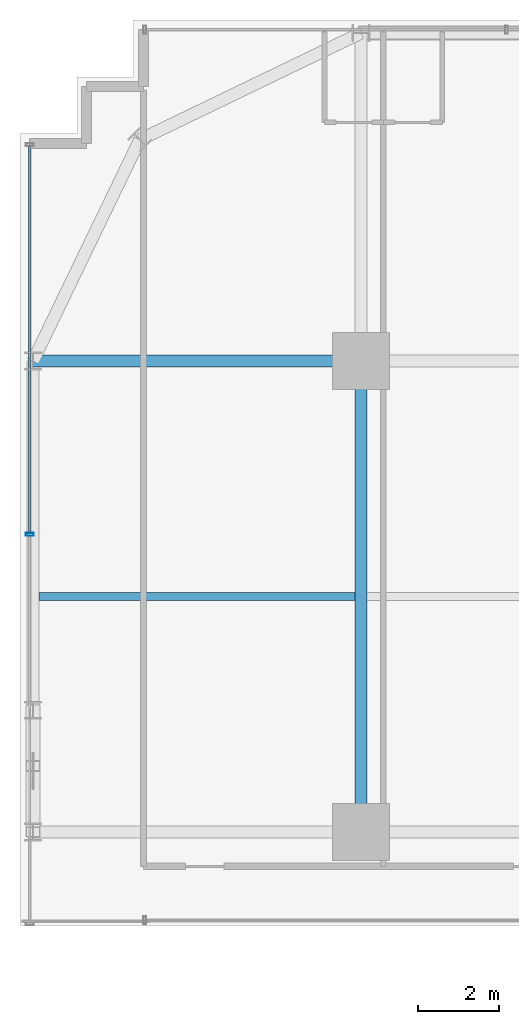
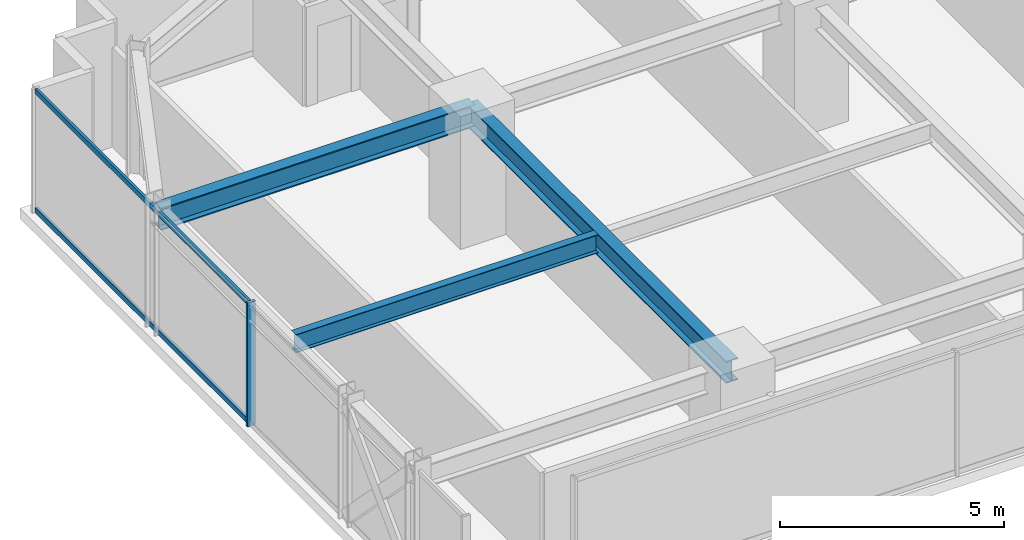
# One storey, part 21 of 43: 3 beams, 3 members, 1 element without a shape of its own.
"""IFC4 building model written with IfcOpenShell, lengths in metres."""

import ifcopenshell
import ifcopenshell.guid

model = None  # the IFC model being written
_history = None  # IfcOwnerHistory: only IFC2X3 demands one
_inside = {}  # id of a spatial element -> (the spatial element, [elements in it])
_under = {}  # id of a project, library or spatial element -> (it, [spatial elements below it])
_declared = {}  # id of a project -> (the project, [libraries it declares])
_typed = {}  # id of a type object -> (the type object, [elements of that type])
_made_of = {}  # id of a material, layer set ... -> (it, [elements and type objects made of it])


def new_model(schema):
    """Start an empty IFC model of exactly this schema.

    Asked for "IFC4X3", IfcOpenShell would pick the latest addendum, in which some entities
    have other attributes; the version numbers below select the first issue.
    IFC2X3 requires an IfcOwnerHistory on every rooted entity: one is made here for all.
    """
    global model, _history
    if schema == "IFC4X3":
        model = ifcopenshell.file(schema_version=(4, 3, 0, 0))
    else:
        model = ifcopenshell.file(schema=schema)
    _inside.clear()
    _under.clear()
    _declared.clear()
    _typed.clear()
    _made_of.clear()
    _history = None
    if model.schema == "IFC2X3":
        org = make("IfcOrganization", Name="unknown")
        user = make(
            "IfcPersonAndOrganization",
            ThePerson=make("IfcPerson", FamilyName="unknown"),
            TheOrganization=org,
        )
        app = make(
            "IfcApplication",
            ApplicationDeveloper=org,
            Version="unknown",
            ApplicationFullName="unknown",
            ApplicationIdentifier="unknown",
        )
        _history = make(
            "IfcOwnerHistory",
            OwningUser=user,
            OwningApplication=app,
            ChangeAction="ADDED",
            CreationDate=0,
        )
    return model


def make(cls, **values):
    """One entity of the class cls with the attributes given. An attribute that is None is left unset."""
    return model.create_entity(
        cls, **{name: value for name, value in values.items() if value is not None}
    )


def rooted(cls, **values):
    """An entity with a GlobalId (a new one), such as an element, a storey or a relation."""
    return make(cls, GlobalId=ifcopenshell.guid.new(), OwnerHistory=_history, **values)


def si_unit(unit_type, name, prefix=None):
    """IfcSIUnit, for example si_unit("LENGTHUNIT", "METRE", prefix="MILLI")."""
    return make("IfcSIUnit", UnitType=unit_type, Prefix=prefix, Name=name)


def assignment(units):
    """IfcUnitAssignment: the units of a project."""
    return None if units is None else make("IfcUnitAssignment", Units=units)


def point(xyz):
    """IfcCartesianPoint."""
    return None if xyz is None else make("IfcCartesianPoint", Coordinates=xyz)


def direction(xyz):
    """IfcDirection."""
    return None if xyz is None else make("IfcDirection", DirectionRatios=xyz)


def frame(location, z_axis=None, x_axis=None):
    """IfcAxis2Placement3D, a coordinate frame: its origin and axes. An axis left out is left unset."""
    return make(
        "IfcAxis2Placement3D",
        Location=point(location),
        Axis=direction(z_axis),
        RefDirection=direction(x_axis),
    )


def frame_2d(location, x_axis=None):
    """IfcAxis2Placement2D, a coordinate frame in the plane: its origin and x axis."""
    return make(
        "IfcAxis2Placement2D", Location=point(location), RefDirection=direction(x_axis)
    )


def origin():
    """The frame at (0, 0, 0) with its axes left unset."""
    return frame((0.0, 0.0, 0.0))


def origin_2d():
    """The frame at (0, 0) in the plane with its x axis left unset."""
    return frame_2d((0.0, 0.0))


def place(relative_to, where):
    """IfcLocalPlacement: puts the frame where relative to a parent placement (None: the world)."""
    return make(
        "IfcLocalPlacement", PlacementRelTo=relative_to, RelativePlacement=where
    )


def context(
    kind, dimensions, precision=None, world=None, true_north=None, identifier=None
):
    """IfcGeometricRepresentationContext, for example the 3D "Model" context."""
    return make(
        "IfcGeometricRepresentationContext",
        ContextIdentifier=identifier,
        ContextType=kind,
        CoordinateSpaceDimension=dimensions,
        Precision=precision,
        WorldCoordinateSystem=world,
        TrueNorth=true_north,
    )


def subcontext(parent, identifier, kind, view, scale=None):
    """IfcGeometricRepresentationSubContext, for example "Body" below "Model"."""
    return make(
        "IfcGeometricRepresentationSubContext",
        ContextIdentifier=identifier,
        ContextType=kind,
        ParentContext=parent,
        TargetScale=scale,
        TargetView=view,
    )


def project(units=None, contexts=None):
    """IfcProject with its units and contexts."""
    return rooted(
        "IfcProject",
        Name="project",
        RepresentationContexts=contexts,
        UnitsInContext=assignment(units),
    )


def spatial(cls, under=None, at=None, **own):
    """A site, building, storey or space (cls), placed at a placement, below another one or the project."""
    s = rooted(cls, ObjectPlacement=at, **own)
    if under is not None:
        _under.setdefault(under.id(), (under, []))[1].append(s)
    return s


def profile(cls, at=None, kind="AREA", **sizes):
    """A parametric profile (cls). Its sizes go by their IFC names, for example OverallWidth=200.0."""
    return make(cls, ProfileType=kind, Position=at, **sizes)


def hollow_rectangle(**sizes):
    """IfcRectangleHollowProfileDef."""
    return profile("IfcRectangleHollowProfileDef", **sizes)


def i_section(**sizes):
    """IfcIShapeProfileDef."""
    return profile("IfcIShapeProfileDef", **sizes)


def extrude(swept, where, along, depth):
    """IfcExtrudedAreaSolid: the profile swept, set in the frame where, extruded along a direction by depth."""
    return make(
        "IfcExtrudedAreaSolid",
        SweptArea=swept,
        Position=where,
        ExtrudedDirection=direction(along),
        Depth=depth,
    )


def shape(context_of_items, identifier, shape_type, items):
    """IfcShapeRepresentation: the items that make up one representation, for example the "Body"."""
    return make(
        "IfcShapeRepresentation",
        ContextOfItems=context_of_items,
        RepresentationIdentifier=identifier,
        RepresentationType=shape_type,
        Items=items,
    )


def source(mapping_origin, context_of_items, identifier, shape_type, items):
    """IfcRepresentationMap: a shape defined once, which mapped items show again and again."""
    return make(
        "IfcRepresentationMap",
        MappingOrigin=mapping_origin,
        MappedRepresentation=shape(context_of_items, identifier, shape_type, items),
    )


def transform(
    local_origin,
    x_axis=None,
    y_axis=None,
    z_axis=None,
    scale=None,
    scale2=None,
    scale3=None,
    uniform=True,
):
    """IfcCartesianTransformationOperator3D, or its non-uniform kind. x_axis, y_axis, z_axis: its Axis1, 2, 3."""
    if uniform:
        return make(
            "IfcCartesianTransformationOperator3D",
            Axis1=direction(x_axis),
            Axis2=direction(y_axis),
            LocalOrigin=point(local_origin),
            Scale=scale,
            Axis3=direction(z_axis),
        )
    return make(
        "IfcCartesianTransformationOperator3DnonUniform",
        Axis1=direction(x_axis),
        Axis2=direction(y_axis),
        LocalOrigin=point(local_origin),
        Scale=scale,
        Axis3=direction(z_axis),
        Scale2=scale2,
        Scale3=scale3,
    )


def mapped(mapping_source, mapping_target):
    """IfcMappedItem: shows the shape of a source again, moved by a transform."""
    return make(
        "IfcMappedItem", MappingSource=mapping_source, MappingTarget=mapping_target
    )


def material(Name=None, Category=None):
    """IfcMaterial."""
    return make("IfcMaterial", Name=Name, Category=Category)


def material_profile(
    of_material, cross_section, Name=None, Category=None, Priority=None
):
    """IfcMaterialProfile: a cross section and its material."""
    return make(
        "IfcMaterialProfile",
        Name=Name,
        Material=of_material,
        Profile=cross_section,
        Priority=Priority,
        Category=Category,
    )


def profile_set(profiles, Name=None, composite=None):
    """IfcMaterialProfileSet."""
    return make(
        "IfcMaterialProfileSet",
        Name=Name,
        MaterialProfiles=profiles,
        CompositeProfile=composite,
    )


def made_of(thing, what):
    """Note that an element or type object is made of a material, layer set ...; save() writes the relation."""
    if what is not None:
        _made_of.setdefault(what.id(), (what, []))[1].append(thing)
    return thing


def type_object(cls, material=None, **own):
    """A type object (cls), such as IfcWallType, which elements share."""
    return made_of(rooted(cls, **own), material)


def element(
    cls,
    number,
    at=None,
    inside=None,
    cuts=None,
    type_object=None,
    material=None,
    context=None,
    identifier="Body",
    shape_type=None,
    held_by="IfcProductDefinitionShape",
    body=None,
    shapes=None,
    **own,
):
    """One element of the class cls, such as IfcWall. Its Tag is "e" and its number.

    at: its placement. inside: the storey or other place that contains it. cuts: it is an
    opening in that element (IfcRelVoidsElement). A single representation is given by context,
    identifier, shape_type and body (its items); several are given by shapes. held_by: the class
    of the entity that holds the representations. save() writes the other relations.
    """
    e = rooted(cls, Tag="e%d" % number, ObjectPlacement=at, **own)
    if body is not None:
        shapes = [shape(context, identifier, shape_type, body)]
    if shapes is not None:
        e.Representation = make(held_by, Representations=shapes)
    if inside is not None:
        _inside.setdefault(inside.id(), (inside, []))[1].append(e)
    if cuts is not None:
        rooted(
            "IfcRelVoidsElement", RelatingBuildingElement=cuts, RelatedOpeningElement=e
        )
    if type_object is not None:
        _typed.setdefault(type_object.id(), (type_object, []))[1].append(e)
    return made_of(e, material)


def aggregate(whole, parts):
    """IfcRelAggregates: a whole, such as a stair, and the parts it consists of."""
    return rooted("IfcRelAggregates", RelatingObject=whole, RelatedObjects=parts)


def save(model, path):
    """Write the relations noted so far, then the file.

    IfcRelAggregates (storeys below a building ...), IfcRelContainedInSpatialStructure (elements
    in a storey), IfcRelDefinesByType, IfcRelAssociatesMaterial and IfcRelDeclares: one each for
    every whole, place, type object, material and project.
    """
    for whole, parts in _under.values():
        aggregate(whole, parts)
    for where, things in _inside.values():
        rooted(
            "IfcRelContainedInSpatialStructure",
            RelatedElements=things,
            RelatingStructure=where,
        )
    for kind, things in _typed.values():
        rooted("IfcRelDefinesByType", RelatedObjects=things, RelatingType=kind)
    for what, things in _made_of.values():
        rooted("IfcRelAssociatesMaterial", RelatedObjects=things, RelatingMaterial=what)
    for by, libraries in _declared.values():
        rooted("IfcRelDeclares", RelatingContext=by, RelatedDefinitions=libraries)
    model.write(path)


model = new_model("IFC4")

# Units and contexts
model_context = context("Model", 3, precision=1e-05, world=origin(), true_north=direction((0.0, 1.0)))
body_context = subcontext(model_context, "Body", "Model", "MODEL_VIEW")
ifc_project = project(units=[si_unit("LENGTHUNIT", "METRE"), si_unit("AREAUNIT", "SQUARE_METRE"), si_unit("VOLUMEUNIT", "CUBIC_METRE"), si_unit("PLANEANGLEUNIT", "RADIAN"), si_unit("MASSUNIT", "GRAM", prefix="KILO")], contexts=[model_context])

# Site, building, storey
site_placement = place(None, origin())
site = spatial("IfcSite", under=ifc_project, at=site_placement, CompositionType="ELEMENT")
building_placement = place(site_placement, origin())
building = spatial("IfcBuilding", under=site, at=building_placement, Name="Nahalor Promenade Grand Hotel", CompositionType="ELEMENT")
storey_placement = place(building_placement, frame((0.0, 0.0, 57.949951171875)))
storey = spatial("IfcBuildingStorey", under=building, at=storey_placement, Name="L13", CompositionType="ELEMENT", Elevation=57.949951171875)

# Beams
ifc_material_1 = material(Name="Steel S355JR", Category="steel")
ifc_material_profile_1 = material_profile(ifc_material_1, i_section(OverallWidth=0.3, OverallDepth=0.6, WebThickness=0.0155, FlangeThickness=0.03, at=origin_2d()), Name="HEB 600")
ifc_profile_set_1 = profile_set([ifc_material_profile_1], Name="Steel S355JR")
beam_type_1 = type_object("IfcBeamType", Name="Beam-Girder-HEB600", PredefinedType="BEAM", material=ifc_profile_set_1)
shared_shape_1 = source(origin(), body_context, "Body", "SweptSolid", [
    extrude(i_section(OverallWidth=0.3, OverallDepth=0.6, WebThickness=0.0155, FlangeThickness=0.03, at=origin_2d()), origin(), (0.0, 0.0, 1.0), 11.60009765625),
])
beam_1_placement = place(storey_placement, frame((-17.0, 5.39990234375, 3.070068359375), z_axis=(0.0, 1.0, 0.0), x_axis=(-1.0, 0.0, 0.0)))
element("IfcBeam", 1, at=beam_1_placement, inside=storey, type_object=beam_type_1, Name="BM-L13-GY-0-3", PredefinedType="BEAM", context=body_context, shape_type="MappedRepresentation", body=[
    mapped(shared_shape_1, transform((0.0, 0.0, 0.0), scale=1.0)),
])
shared_shape_2 = source(origin(), body_context, "Body", "SweptSolid", [
    extrude(i_section(OverallWidth=0.3, OverallDepth=0.6, WebThickness=0.0155, FlangeThickness=0.03, at=origin_2d()), origin(), (0.0, 0.0, 1.0), 8.080078125),
])
beam_2_placement = place(storey_placement, frame((-25.080078125, 17.0, 3.070068359375), z_axis=(1.0, 0.0, 0.0), x_axis=(0.0, 1.0, 0.0)))
element("IfcBeam", 2, at=beam_2_placement, inside=storey, type_object=beam_type_1, Name="BM-L13-GX-3-0", PredefinedType="BEAM", context=body_context, shape_type="MappedRepresentation", body=[
    mapped(shared_shape_2, transform((0.0, 0.0, 0.0), scale=1.0)),
])
ifc_material_profile_2 = material_profile(ifc_material_1, i_section(OverallWidth=0.2, OverallDepth=0.5, WebThickness=0.0102, FlangeThickness=0.016, at=origin_2d()), Name="IPE 500")
ifc_profile_set_2 = profile_set([ifc_material_profile_2], Name="Steel S355JR")
beam_type_2 = type_object("IfcBeamType", Name="Beam-Joist-IPE500", PredefinedType="JOIST", material=ifc_profile_set_2)
shared_shape_3 = source(origin(), body_context, "Body", "SweptSolid", [
    extrude(i_section(OverallWidth=0.2, OverallDepth=0.5, WebThickness=0.0102, FlangeThickness=0.016, at=origin_2d()), origin(), (0.0, 0.0, 1.0), 7.780029296875),
])
beam_3_placement = place(storey_placement, frame((-24.929931640625, 11.199951171875, 3.1201171875), z_axis=(1.0, 0.0, 0.0), x_axis=(0.0, 1.0, 0.0)))
element("IfcBeam", 3, at=beam_3_placement, inside=storey, type_object=beam_type_2, Name="BM-L13-JSW-1-0", PredefinedType="JOIST", context=body_context, shape_type="MappedRepresentation", body=[
    mapped(shared_shape_3, transform((0.0, 0.0, 0.0), scale=1.0)),
])

# Curtain wall, members
ifc_material_2 = material(Name="Anodised Bronze Aluminium EN AW-6063 T6", Category="aluminium")
curtain_wall_type = type_object("IfcCurtainWallType", Name="CW3 Elliptical-Void Collar Unitised Curtain Wall", PredefinedType="USERDEFINED", material=ifc_material_2)
curtain_wall_placement = place(storey_placement, origin())
curtain_wall = element("IfcCurtainWall", 4, at=curtain_wall_placement, inside=storey, type_object=curtain_wall_type, Name="L13 Curtain Wall CW-L13-W-2", ObjectType="UNITISED_CURTAIN_WALL", PredefinedType="USERDEFINED")
ifc_material_profile_3 = material_profile(ifc_material_2, hollow_rectangle(XDim=0.07, YDim=0.2, WallThickness=0.005, at=origin_2d()), Name="CWM 70x200x5")
ifc_profile_set_3 = profile_set([ifc_material_profile_3], Name="Anodised Bronze Aluminium EN AW-6063 T6")
member_type_1 = type_object("IfcMemberType", Name="CWM3 Void Collar Mullion 70x200", PredefinedType="MULLION", material=ifc_profile_set_3)
shared_shape_4 = source(origin(), body_context, "Body", "SweptSolid", [
    extrude(hollow_rectangle(XDim=0.07, YDim=0.2, WallThickness=0.005, at=origin_2d()), origin(), (0.0, 0.0, 1.0), 3.3701171875),
])
member_1_placement = place(storey_placement, frame((-25.159912109375, 12.72998046875, 0.0), z_axis=(0.0, 0.0, 1.0), x_axis=(0.0, 1.0, 0.0)))
member_1 = element("IfcMember", 5, at=member_1_placement, type_object=member_type_1, Name="CW-L13-W-2 Mullion 1", PredefinedType="MULLION", context=body_context, shape_type="MappedRepresentation", body=[
    mapped(shared_shape_4, transform((0.0, 0.0, 0.0), scale=1.0)),
])
ifc_material_profile_4 = material_profile(ifc_material_2, hollow_rectangle(XDim=0.07, YDim=0.14, WallThickness=0.004, at=origin_2d()), Name="CWT 70x140x4")
ifc_profile_set_4 = profile_set([ifc_material_profile_4], Name="Anodised Bronze Aluminium EN AW-6063 T6")
member_type_2 = type_object("IfcMemberType", Name="CWT3 Void Collar Transom 70x140", PredefinedType="USERDEFINED", material=ifc_profile_set_4)
shared_shape_5 = source(origin(), body_context, "Body", "SweptSolid", [
    extrude(hollow_rectangle(XDim=0.07, YDim=0.14, WallThickness=0.004, at=origin_2d()), origin(), (0.0, 0.0, 1.0), 9.525146484375),
])
member_2_placement = place(storey_placement, frame((-25.159912109375, 12.764892578125, 0.070068359375), z_axis=(0.0, 1.0, 0.0), x_axis=(-1.0, 0.0, 0.0)))
member_2 = element("IfcMember", 6, at=member_2_placement, type_object=member_type_2, Name="CW-L13-W-2 Transom 1-0", ObjectType="TRANSOM", PredefinedType="USERDEFINED", context=body_context, shape_type="MappedRepresentation", body=[
    mapped(shared_shape_5, transform((0.0, 0.0, 0.0), scale=1.0)),
])
member_3_placement = place(storey_placement, frame((-25.159912109375, 12.764892578125, 3.300048828125), z_axis=(0.0, 1.0, 0.0), x_axis=(-1.0, 0.0, 0.0)))
member_3 = element("IfcMember", 7, at=member_3_placement, type_object=member_type_2, Name="CW-L13-W-2 Transom 1-1", ObjectType="TRANSOM", PredefinedType="USERDEFINED", context=body_context, shape_type="MappedRepresentation", body=[
    mapped(shared_shape_5, transform((0.0, 0.0, 0.0), scale=1.0)),
])
aggregate(curtain_wall, [member_1, member_2, member_3])

save(model, "model.ifc")
